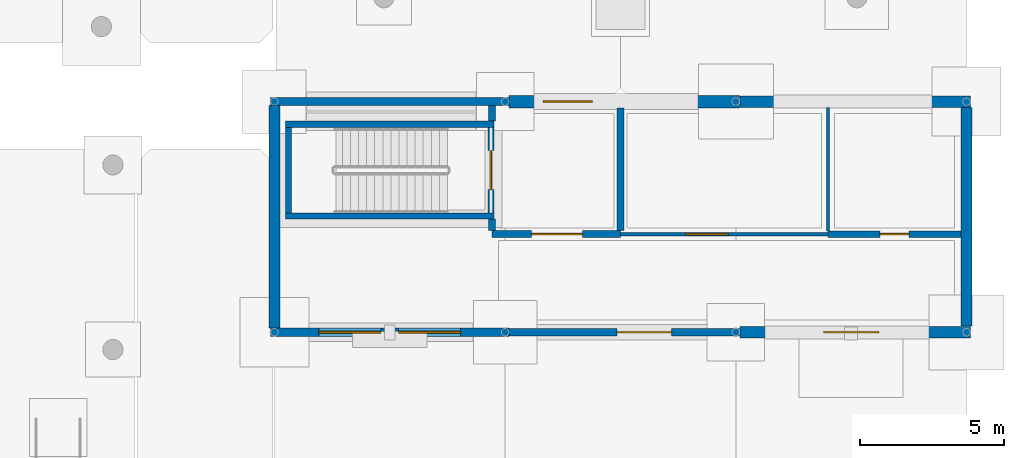
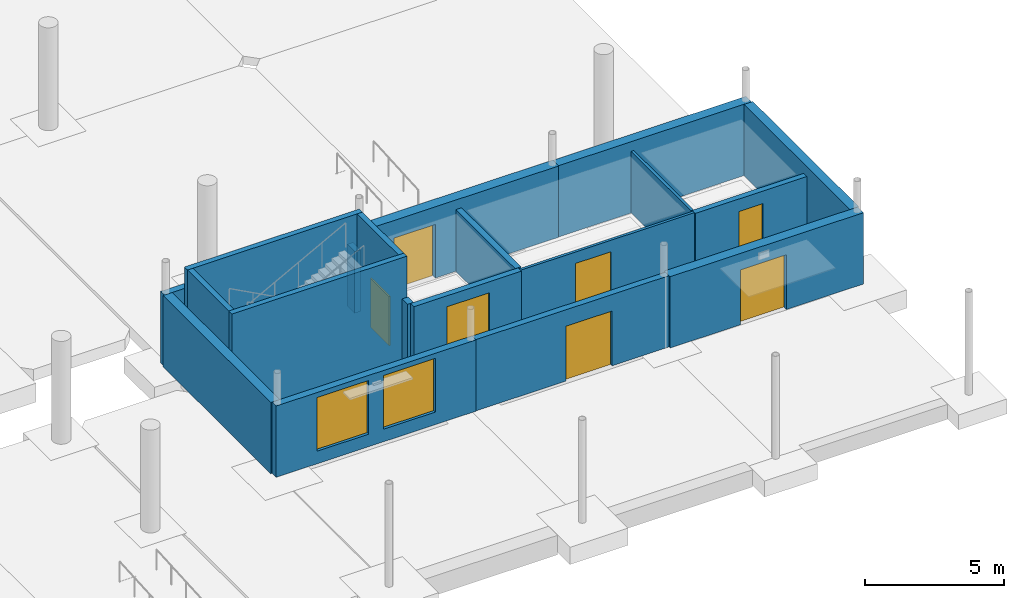
# One storey, part 46 of 63: 19 walls, 7 doors, 2 windows, 9 openings.
"""IFC4 building model written with IfcOpenShell, lengths in metres."""

from ifc_helpers import new_model, si_unit, direction, frame, frame_2d, origin, place, context, subcontext, project, spatial, rectangle, extrude, material, layer, layer_set, type_object, element, fill, save


model = new_model("IFC4")

# Units and contexts
model_context = context("Model", 3, precision=1e-05, world=origin(), true_north=direction((0.0, 1.0)))
body_context = subcontext(model_context, "Body", "Model", "MODEL_VIEW")
ifc_project = project(units=[si_unit("LENGTHUNIT", "METRE"), si_unit("AREAUNIT", "SQUARE_METRE"), si_unit("VOLUMEUNIT", "CUBIC_METRE"), si_unit("PLANEANGLEUNIT", "RADIAN"), si_unit("MASSUNIT", "GRAM", prefix="KILO")], contexts=[model_context])

# Site, building, storey
site_placement = place(None, origin())
site = spatial("IfcSite", under=ifc_project, at=site_placement, CompositionType="ELEMENT")
building_placement = place(site_placement, origin())
building = spatial("IfcBuilding", under=site, at=building_placement, Name="Serraforn Aerial Cableway Station", CompositionType="ELEMENT")
storey_placement = place(building_placement, origin())
storey = spatial("IfcBuildingStorey", under=building, at=storey_placement, Name="L00", CompositionType="ELEMENT", Elevation=0.0)

# Wall, opening, door
ifc_material_1 = material(Name="Concrete C35/45", Category="concrete")
ifc_layer_1 = layer(ifc_material_1, 0.219970703125)
ifc_layer_set_1 = layer_set([ifc_layer_1], Name="Concrete C35/45")
wall_type_1 = type_object("IfcWallType", Name="WL-COR-220", PredefinedType="SHEAR", material=ifc_layer_set_1)
wall_1_placement = place(storey_placement, frame((151.510009765625, 15.10009765625, 0.0), z_axis=(0.0, 0.0, 1.0), x_axis=(0.0, -1.0, 0.0)))
wall_1 = element("IfcWall", 1, at=wall_1_placement, inside=storey, type_object=wall_type_1, Name="Stair Core Shear Wall WCOR-ST-07-L00-NEAR", PredefinedType="SHEAR", context=body_context, shape_type="SweptSolid", body=[
    extrude(rectangle(XDim=2.960205078125, YDim=0.219970703125, at=frame_2d((1.47998046875, 0.0))), origin(), (0.0, 0.0, 1.0), 4.5),
])
opening_1_placement = place(wall_1_placement, frame((0.804931640625, 0.0, 0.0)))
opening_1 = element("IfcOpeningElement", 2, at=opening_1_placement, cuts=wall_1, Name="Opening D-S31", PredefinedType="OPENING", context=body_context, shape_type="SweptSolid", body=[
    extrude(rectangle(XDim=1.35009765625, YDim=2.14990234375, at=frame_2d((0.675048828125, 1.074951171875))), frame((0.0, 0.119873046875, 0.0), z_axis=(0.0, -1.0, 0.0), x_axis=(1.0, 0.0, 0.0)), (0.0, 0.0, 1.0), 0.239990234375),
])
ifc_material_2 = material(Name="Self-closing steel stair fire door", Category="steel")
door_type_1 = type_object("IfcDoorType", Name="DR-STAIR-135", OperationType="NOTDEFINED", PredefinedType="DOOR", material=ifc_material_2)
door_1_placement = place(opening_1_placement, origin())
door_1 = element("IfcDoor", 3, at=door_1_placement, inside=storey, type_object=door_type_1, Name="Protected Stair Door D-S31", OperationType="SINGLE_SWING_LEFT", OverallHeight=2.14990234375, OverallWidth=1.35009765625, PredefinedType="DOOR", context=body_context, shape_type="SweptSolid", body=[
    extrude(rectangle(XDim=1.35009765625, YDim=2.14990234375, at=frame_2d((0.675048828125, 1.074951171875))), frame((0.0, 0.02490234375, 0.0), z_axis=(0.0, -1.0, 0.0), x_axis=(1.0, 0.0, 0.0)), (0.0, 0.0, 1.0), 0.050048828125),
])
fill(opening_1, door_1)

# Walls
wall_2_placement = place(storey_placement, frame((144.489990234375, 15.10009765625, 0.0), z_axis=(0.0, 0.0, 1.0), x_axis=(0.0, -1.0, 0.0)))
element("IfcWall", 4, at=wall_2_placement, inside=storey, type_object=wall_type_1, Name="Stair Core Shear Wall WCOR-ST-07-L00-FAR", PredefinedType="SHEAR", context=body_context, shape_type="SweptSolid", body=[
    extrude(rectangle(XDim=2.960205078125, YDim=0.219970703125, at=frame_2d((1.47998046875, 0.0))), origin(), (0.0, 0.0, 1.0), 4.5),
])
for number, where, z_axis, x_axis, name in (
    (5, (151.6201171875, 15.2099609375, 0.0), (0.0, 0.0, 1.0), (-1.0, 0.0, 0.0), "Stair Core Shear Wall WCOR-ST-07-L00-L"),
    (6, (151.6201171875, 12.030029296875, 0.0), (0.0, 0.0, 1.0), (-1.0, 0.0, 0.0), "Stair Core Shear Wall WCOR-ST-07-L00-R"),
):
    element("IfcWall", number, at=place(storey_placement, frame(where, z_axis=z_axis, x_axis=x_axis)), inside=storey, type_object=wall_type_1, Name=name, PredefinedType="SHEAR", context=body_context, shape_type="SweptSolid", body=[
        extrude(rectangle(XDim=7.240234375, YDim=0.219970703125, at=frame_2d((3.6201171875, 0.0))), origin(), (0.0, 0.0, 1.0), 4.5),
    ])

# Wall, opening, door
ifc_material_3 = material(Name="Insulated stuccoed terracotta facade", Category="masonry")
ifc_layer_2 = layer(ifc_material_3, 0.260009765625)
ifc_layer_set_2 = layer_set([ifc_layer_2], Name="Insulated stuccoed terracotta facade")
wall_type_2 = type_object("IfcWallType", Name="WL-EXT-260", PredefinedType="SOLIDWALL", material=ifc_layer_set_2)
wall_3_placement = place(storey_placement, frame((152.137451171875, 8.0, 0.0), z_axis=(0.0, 0.0, 1.0), x_axis=(1.0, 0.0, 0.0)))
wall_3 = element("IfcWall", 7, at=wall_3_placement, inside=storey, type_object=wall_type_2, Name="Exterior Wall WEXT-ES-L00-S2", PredefinedType="SOLIDWALL", context=body_context, shape_type="SweptSolid", body=[
    extrude(rectangle(XDim=7.9990234375, YDim=0.260009765625, at=frame_2d((3.99951171875, 0.0))), origin(), (0.0, 0.0, 1.0), 3.1201171875),
])
opening_2_placement = place(wall_3_placement, frame((3.73974609375, 0.0, 0.0)))
opening_2 = element("IfcOpeningElement", 8, at=opening_2_placement, cuts=wall_3, Name="Opening DE-01", PredefinedType="OPENING", context=body_context, shape_type="SweptSolid", body=[
    extrude(rectangle(XDim=1.89990234375, YDim=2.39990234375, at=frame_2d((0.949951171875, 1.199951171875))), frame((0.0, 0.139892578125, 0.0), z_axis=(0.0, -1.0, 0.0), x_axis=(1.0, 0.0, 0.0)), (0.0, 0.0, 1.0), 0.280029296875),
])
ifc_material_4 = material(Name="Anodised bronze thermally broken aluminium and laminated glass", Category="aluminium")
door_type_2 = type_object("IfcDoorType", Name="DR-EXT-190", OperationType="DOUBLE_SWING_LEFT", PredefinedType="DOOR", material=ifc_material_4)
door_2_placement = place(opening_2_placement, origin())
door_2 = element("IfcDoor", 9, at=door_2_placement, inside=storey, type_object=door_type_2, Name="Exterior Door DE-ES-L00-S2", OperationType="DOUBLE_SWING_LEFT", OverallHeight=2.39990234375, OverallWidth=1.89990234375, PredefinedType="DOOR", context=body_context, shape_type="SweptSolid", body=[
    extrude(rectangle(XDim=1.89990234375, YDim=2.39990234375, at=frame_2d((0.949951171875, 1.199951171875))), frame((0.0, 0.02490234375, 0.0), z_axis=(0.0, -1.0, 0.0), x_axis=(1.0, 0.0, 0.0)), (0.0, 0.0, 1.0), 0.050048828125),
])
fill(opening_2, door_2)

# Wall
ifc_layer_3 = layer(ifc_material_3, 0.27490234375)
ifc_layer_set_3 = layer_set([ifc_layer_3], Name="Insulated stuccoed terracotta facade")
wall_type_3 = type_object("IfcWallType", Name="WL-EXT-275", PredefinedType="SOLIDWALL", material=ifc_layer_set_3)
wall_4_placement = place(storey_placement, frame((152.136474609375, 16.0, 0.0), z_axis=(0.0, 0.0, 1.0), x_axis=(-1.0, 0.0, 0.0)))
element("IfcWall", 10, at=wall_4_placement, inside=storey, type_object=wall_type_3, Name="Exterior Wall WEXT-ES-L00-N1", PredefinedType="SOLIDWALL", context=body_context, shape_type="SweptSolid", body=[
    extrude(rectangle(XDim=8.27294921875, YDim=0.27490234375, at=frame_2d((4.136474609375, 0.0))), origin(), (0.0, 0.0, 1.0), 3.1201171875),
])

# Wall, openings, windows
ifc_material_5 = material(Name="Insulated fluted limestone rainscreen", Category="masonry")
ifc_layer_4 = layer(ifc_material_5, 0.2900390625)
ifc_layer_set_4 = layer_set([ifc_layer_4], Name="Insulated fluted limestone rainscreen")
wall_type_4 = type_object("IfcWallType", Name="WL-EXT-290", PredefinedType="SOLIDWALL", material=ifc_layer_set_4)
wall_5_placement = place(storey_placement, frame((143.863525390625, 8.0, 0.0), z_axis=(0.0, 0.0, 1.0), x_axis=(1.0, 0.0, 0.0)))
wall_5 = element("IfcWall", 11, at=wall_5_placement, inside=storey, type_object=wall_type_4, Name="Exterior Wall WEXT-ES-L00-S1", PredefinedType="SOLIDWALL", context=body_context, shape_type="SweptSolid", body=[
    extrude(rectangle(XDim=8.27294921875, YDim=0.2900390625, at=frame_2d((4.136474609375, 0.0))), origin(), (0.0, 0.0, 1.0), 3.1201171875),
])
opening_3_placement = place(wall_5_placement, frame((1.6826171875, 0.0, 0.550048828125)))
opening_3 = element("IfcOpeningElement", 12, at=opening_3_placement, cuts=wall_5, Name="Opening W-13", PredefinedType="OPENING", context=body_context, shape_type="SweptSolid", body=[
    extrude(rectangle(XDim=2.14990234375, YDim=2.35009765625, at=frame_2d((1.074951171875, 1.175048828125))), frame((0.0, 0.155029296875, 0.0), z_axis=(0.0, -1.0, 0.0), x_axis=(1.0, 0.0, 0.0)), (0.0, 0.0, 1.0), 0.31005859375),
])
opening_4_placement = place(wall_5_placement, frame((4.440185546875, 0.0, 0.550048828125)))
opening_4 = element("IfcOpeningElement", 13, at=opening_4_placement, cuts=wall_5, Name="Opening W-13", PredefinedType="OPENING", context=body_context, shape_type="SweptSolid", body=[
    extrude(rectangle(XDim=2.14990234375, YDim=2.35009765625, at=frame_2d((1.074951171875, 1.175048828125))), frame((0.0, 0.155029296875, 0.0), z_axis=(0.0, -1.0, 0.0), x_axis=(1.0, 0.0, 0.0)), (0.0, 0.0, 1.0), 0.31005859375),
])
ifc_material_6 = material(Name="Anodised bronze aluminium and low-E double glazing", Category="aluminium")
window_type = type_object("IfcWindowType", Name="WIN-ART-13", PartitioningType="SINGLE_PANEL", PredefinedType="WINDOW", material=ifc_material_6)
window_1_placement = place(opening_3_placement, origin())
window_1 = element("IfcWindow", 14, at=window_1_placement, inside=storey, type_object=window_type, Name="Art Deco Window WEXT-ES-L00-S1-W1", OverallHeight=2.35009765625, OverallWidth=2.14990234375, PartitioningType="SINGLE_PANEL", PredefinedType="WINDOW", context=body_context, shape_type="SweptSolid", body=[
    extrude(rectangle(XDim=2.14990234375, YDim=2.35009765625, at=frame_2d((1.074951171875, 1.175048828125))), frame((0.0, 0.030029296875, 0.0), z_axis=(0.0, -1.0, 0.0), x_axis=(1.0, 0.0, 0.0)), (0.0, 0.0, 1.0), 0.06005859375),
])
fill(opening_3, window_1)
window_2_placement = place(opening_4_placement, origin())
window_2 = element("IfcWindow", 15, at=window_2_placement, inside=storey, type_object=window_type, Name="Art Deco Window WEXT-ES-L00-S1-W2", OverallHeight=2.35009765625, OverallWidth=2.14990234375, PartitioningType="SINGLE_PANEL", PredefinedType="WINDOW", context=body_context, shape_type="SweptSolid", body=[
    extrude(rectangle(XDim=2.14990234375, YDim=2.35009765625, at=frame_2d((1.074951171875, 1.175048828125))), frame((0.0, 0.030029296875, 0.0), z_axis=(0.0, -1.0, 0.0), x_axis=(1.0, 0.0, 0.0)), (0.0, 0.0, 1.0), 0.06005859375),
])
fill(opening_4, window_2)

# Walls
ifc_material_7 = material(Name="Montjuic sandstone ashlar masonry", Category="masonry")
ifc_layer_5 = layer(ifc_material_7, 0.364990234375)
ifc_layer_set_5 = layer_set([ifc_layer_5], Name="Montjuic sandstone ashlar masonry")
wall_type_5 = type_object("IfcWallType", Name="WL-EXT-365", PredefinedType="SOLIDWALL", material=ifc_layer_set_5)
wall_6_placement = place(storey_placement, frame((168.0, 8.20849609375, 0.0), z_axis=(0.0, 0.0, 1.0), x_axis=(0.0, 1.0, 0.0)))
element("IfcWall", 16, at=wall_6_placement, inside=storey, type_object=wall_type_5, Name="Exterior Wall WEXT-ES-L00-E1", PredefinedType="SOLIDWALL", context=body_context, shape_type="SweptSolid", body=[
    extrude(rectangle(XDim=7.590576171875, YDim=0.364990234375, at=frame_2d((3.79541015625, 0.0))), origin(), (0.0, 0.0, 1.0), 3.1201171875),
])
ifc_layer_6 = layer(ifc_material_7, 0.3798828125)
ifc_layer_set_6 = layer_set([ifc_layer_6], Name="Montjuic sandstone ashlar masonry")
wall_type_6 = type_object("IfcWallType", Name="WL-EXT-380", PredefinedType="SOLIDWALL", material=ifc_layer_set_6)
wall_7_placement = place(storey_placement, frame((144.0, 15.861572265625, 0.0), z_axis=(0.0, 0.0, 1.0), x_axis=(0.0, -1.0, 0.0)))
element("IfcWall", 17, at=wall_7_placement, inside=storey, type_object=wall_type_6, Name="Exterior Wall WEXT-ES-L00-W1", PredefinedType="SOLIDWALL", context=body_context, shape_type="SweptSolid", body=[
    extrude(rectangle(XDim=7.715576171875, YDim=0.3798828125, at=frame_2d((3.85791015625, 0.0))), origin(), (0.0, 0.0, 1.0), 3.1201171875),
])
ifc_layer_7 = layer(ifc_material_7, 0.39990234375)
ifc_layer_set_7 = layer_set([ifc_layer_7], Name="Montjuic sandstone ashlar masonry")
wall_type_7 = type_object("IfcWallType", Name="WL-EXT-400", PredefinedType="SOLIDWALL", material=ifc_layer_set_7)
wall_8_placement = place(storey_placement, frame((168.136474609375, 16.0, 0.0), z_axis=(0.0, 0.0, 1.0), x_axis=(-1.0, 0.0, 0.0)))
element("IfcWall", 18, at=wall_8_placement, inside=storey, type_object=wall_type_7, Name="Exterior Wall WEXT-ES-L00-N3", PredefinedType="SOLIDWALL", context=body_context, shape_type="SweptSolid", body=[
    extrude(rectangle(XDim=7.9990234375, YDim=0.39990234375, at=frame_2d((3.99951171875, 0.0))), origin(), (0.0, 0.0, 1.0), 3.1201171875),
])

# Wall, opening, door
ifc_layer_8 = layer(ifc_material_7, 0.4150390625)
ifc_layer_set_8 = layer_set([ifc_layer_8], Name="Montjuic sandstone ashlar masonry")
wall_type_8 = type_object("IfcWallType", Name="WL-EXT-415", PredefinedType="SOLIDWALL", material=ifc_layer_set_8)
wall_9_placement = place(storey_placement, frame((160.137451171875, 8.0, 0.0), z_axis=(0.0, 0.0, 1.0), x_axis=(1.0, 0.0, 0.0)))
wall_9 = element("IfcWall", 19, at=wall_9_placement, inside=storey, type_object=wall_type_8, Name="Exterior Wall WEXT-ES-L00-S3", PredefinedType="SOLIDWALL", context=body_context, shape_type="SweptSolid", body=[
    extrude(rectangle(XDim=7.9990234375, YDim=0.4150390625, at=frame_2d((3.99951171875, 0.0))), origin(), (0.0, 0.0, 1.0), 3.1201171875),
])
opening_5_placement = place(wall_9_placement, frame((2.91259765625, 0.0, 0.0)))
opening_5 = element("IfcOpeningElement", 20, at=opening_5_placement, cuts=wall_9, Name="Opening DE-01", PredefinedType="OPENING", context=body_context, shape_type="SweptSolid", body=[
    extrude(rectangle(XDim=1.89990234375, YDim=2.39990234375, at=frame_2d((0.949951171875, 1.199951171875))), frame((0.0, 0.217529296875, 0.0), z_axis=(0.0, -1.0, 0.0), x_axis=(1.0, 0.0, 0.0)), (0.0, 0.0, 1.0), 0.43505859375),
])
door_3_placement = place(opening_5_placement, origin())
door_3 = element("IfcDoor", 21, at=door_3_placement, inside=storey, type_object=door_type_2, Name="Exterior Door DE-ES-L00-S3", OperationType="DOUBLE_SWING_LEFT", OverallHeight=2.39990234375, OverallWidth=1.89990234375, PredefinedType="DOOR", context=body_context, shape_type="SweptSolid", body=[
    extrude(rectangle(XDim=1.89990234375, YDim=2.39990234375, at=frame_2d((0.949951171875, 1.199951171875))), frame((0.0, 0.02490234375, 0.0), z_axis=(0.0, -1.0, 0.0), x_axis=(1.0, 0.0, 0.0)), (0.0, 0.0, 1.0), 0.050048828125),
])
fill(opening_5, door_3)

ifc_layer_9 = layer(ifc_material_7, 0.429931640625)
ifc_layer_set_9 = layer_set([ifc_layer_9], Name="Montjuic sandstone ashlar masonry")
wall_type_9 = type_object("IfcWallType", Name="WL-EXT-430", PredefinedType="SOLIDWALL", material=ifc_layer_set_9)
wall_10_placement = place(storey_placement, frame((160.136474609375, 16.0, 0.0), z_axis=(0.0, 0.0, 1.0), x_axis=(-1.0, 0.0, 0.0)))
wall_10 = element("IfcWall", 22, at=wall_10_placement, inside=storey, type_object=wall_type_9, Name="Exterior Wall WEXT-ES-L00-N2", PredefinedType="SOLIDWALL", context=body_context, shape_type="SweptSolid", body=[
    extrude(rectangle(XDim=7.9990234375, YDim=0.429931640625, at=frame_2d((3.99951171875, 0.0))), origin(), (0.0, 0.0, 1.0), 3.1201171875),
])
opening_6_placement = place(wall_10_placement, frame((5.106689453125, 0.0, 0.0)))
opening_6 = element("IfcOpeningElement", 23, at=opening_6_placement, cuts=wall_10, Name="Opening DE-03", PredefinedType="OPENING", context=body_context, shape_type="SweptSolid", body=[
    extrude(rectangle(XDim=1.699951171875, YDim=2.35009765625, at=frame_2d((0.85009765625, 1.175048828125))), frame((0.0, 0.224853515625, 0.0), z_axis=(0.0, -1.0, 0.0), x_axis=(1.0, 0.0, 0.0)), (0.0, 0.0, 1.0), 0.449951171875),
])
door_type_3 = type_object("IfcDoorType", Name="DR-EXT-170", OperationType="DOUBLE_SWING_LEFT", PredefinedType="DOOR", material=ifc_material_4)
door_4_placement = place(opening_6_placement, origin())
door_4 = element("IfcDoor", 24, at=door_4_placement, inside=storey, type_object=door_type_3, Name="Exterior Door DE-ES-L00-N2", OperationType="DOUBLE_SWING_LEFT", OverallHeight=2.35009765625, OverallWidth=1.699951171875, PredefinedType="DOOR", context=body_context, shape_type="SweptSolid", body=[
    extrude(rectangle(XDim=1.699951171875, YDim=2.35009765625, at=frame_2d((0.85009765625, 1.175048828125))), frame((0.0, 0.02490234375, 0.0), z_axis=(0.0, -1.0, 0.0), x_axis=(1.0, 0.0, 0.0)), (0.0, 0.0, 1.0), 0.050048828125),
])
fill(opening_6, door_4)

# Walls
ifc_material_8 = material(Name="Concrete C30/37", Category="concrete")
ifc_layer_10 = layer(ifc_material_8, 0.241943359375)
ifc_layer_set_10 = layer_set([ifc_layer_10], Name="Concrete C30/37")
wall_type_10 = type_object("IfcWallType", Name="WL-FIR-242", PredefinedType="SOLIDWALL", material=ifc_layer_set_10)
wall_11_placement = place(storey_placement, frame((151.550048828125, 11.52197265625, 0.0), z_axis=(0.0, 0.0, 1.0), x_axis=(0.0, 1.0, 0.0)))
element("IfcWall", 25, at=wall_11_placement, inside=storey, type_object=wall_type_10, Name="Interior Partition WPRT-L00-27-88", PredefinedType="SOLIDWALL", context=body_context, shape_type="SweptSolid", body=[
    extrude(rectangle(XDim=0.39697265625, YDim=0.241943359375, at=frame_2d((0.198486328125, 0.0))), origin(), (0.0, 0.0, 1.0), 2.699951171875),
])
wall_12_placement = place(storey_placement, frame((151.550048828125, 15.321044921875, 0.0), z_axis=(0.0, 0.0, 1.0), x_axis=(0.0, 1.0, 0.0)))
element("IfcWall", 26, at=wall_12_placement, inside=storey, type_object=wall_type_10, Name="Interior Partition WPRT-L00-27-89", PredefinedType="SOLIDWALL", context=body_context, shape_type="SweptSolid", body=[
    extrude(rectangle(XDim=0.54052734375, YDim=0.241943359375, at=frame_2d((0.270263671875, 0.0))), origin(), (0.0, 0.0, 1.0), 2.699951171875),
])
wall_13_placement = place(storey_placement, frame((156.0, 15.783935546875, 0.0), z_axis=(0.0, 0.0, 1.0), x_axis=(0.0, -1.0, 0.0)))
element("IfcWall", 27, at=wall_13_placement, inside=storey, type_object=wall_type_10, Name="Interior Partition WPRT-L00-27-90", PredefinedType="SOLIDWALL", context=body_context, shape_type="SweptSolid", body=[
    extrude(rectangle(XDim=4.261962890625, YDim=0.241943359375, at=frame_2d((2.130859375, 0.0))), origin(), (0.0, 0.0, 1.0), 2.699951171875),
])

# Wall, opening, door
wall_14_placement = place(storey_placement, frame((156.0, 11.39990234375, 0.0), z_axis=(0.0, 0.0, 1.0), x_axis=(-1.0, 0.0, 0.0)))
wall_14 = element("IfcWall", 28, at=wall_14_placement, inside=storey, type_object=wall_type_10, Name="Interior Partition WPRT-L00-27-91", PredefinedType="SOLIDWALL", context=body_context, shape_type="SweptSolid", body=[
    extrude(rectangle(XDim=4.449951171875, YDim=0.241943359375, at=frame_2d((2.22509765625, 0.0))), origin(), (0.0, 0.0, 1.0), 2.699951171875),
])
opening_7_placement = place(wall_14_placement, frame((1.320068359375, 0.0, 0.0)))
opening_7 = element("IfcOpeningElement", 29, at=opening_7_placement, cuts=wall_14, Name="Opening DI-028", PredefinedType="OPENING", context=body_context, shape_type="SweptSolid", body=[
    extrude(rectangle(XDim=1.760009765625, YDim=2.219970703125, at=frame_2d((0.8798828125, 1.10986328125))), frame((0.0, 0.130859375, 0.0), z_axis=(0.0, -1.0, 0.0), x_axis=(1.0, 0.0, 0.0)), (0.0, 0.0, 1.0), 0.261962890625),
])
ifc_material_9 = material(Name="Double-leaf machinery vault door")
door_type_4 = type_object("IfcDoorType", Name="DR-INT-176", OperationType="NOTDEFINED", PredefinedType="DOOR", material=ifc_material_9)
door_5_placement = place(opening_7_placement, origin())
door_5 = element("IfcDoor", 30, at=door_5_placement, inside=storey, type_object=door_type_4, Name="Room Door DI-028 (L00-27)", OperationType="SINGLE_SWING_LEFT", OverallHeight=2.219970703125, OverallWidth=1.760009765625, PredefinedType="DOOR", context=body_context, shape_type="SweptSolid", body=[
    extrude(rectangle(XDim=1.760009765625, YDim=2.219970703125, at=frame_2d((0.8798828125, 1.10986328125))), frame((0.0, 0.02490234375, 0.0), z_axis=(0.0, -1.0, 0.0), x_axis=(1.0, 0.0, 0.0)), (0.0, 0.0, 1.0), 0.050048828125),
])
fill(opening_7, door_5)

ifc_material_10 = material(Name="Sanitary service chase partition")
ifc_layer_11 = layer(ifc_material_10, 0.22802734375)
ifc_layer_set_11 = layer_set([ifc_layer_11], Name="Sanitary service chase partition")
wall_type_11 = type_object("IfcWallType", Name="WL-PLM-228", PredefinedType="PLUMBINGWALL", material=ifc_layer_set_11)
wall_15_placement = place(storey_placement, frame((167.81640625, 11.39990234375, 0.0), z_axis=(0.0, 0.0, 1.0), x_axis=(-1.0, 0.0, 0.0)))
wall_15 = element("IfcWall", 31, at=wall_15_placement, inside=storey, type_object=wall_type_11, Name="Interior Partition WPRT-L00-17-94", PredefinedType="PLUMBINGWALL", context=body_context, shape_type="SweptSolid", body=[
    extrude(rectangle(XDim=4.616455078125, YDim=0.22802734375, at=frame_2d((2.30810546875, 0.0))), origin(), (0.0, 0.0, 1.0), 2.699951171875),
])
opening_8_placement = place(wall_15_placement, frame((1.81640625, 0.0, 0.0)))
opening_8 = element("IfcOpeningElement", 32, at=opening_8_placement, cuts=wall_15, Name="Opening DI-030", PredefinedType="OPENING", context=body_context, shape_type="SweptSolid", body=[
    extrude(rectangle(XDim=1.0, YDim=2.14990234375, at=frame_2d((0.5, 1.074951171875))), frame((0.0, 0.1240234375, 0.0), z_axis=(0.0, -1.0, 0.0), x_axis=(1.0, 0.0, 0.0)), (0.0, 0.0, 1.0), 0.248046875),
])
ifc_material_11 = material(Name="Fire-rated oak veneer leaf")
door_type_5 = type_object("IfcDoorType", Name="DR-INT-100", OperationType="NOTDEFINED", PredefinedType="DOOR", material=ifc_material_11)
door_6_placement = place(opening_8_placement, origin())
door_6 = element("IfcDoor", 33, at=door_6_placement, inside=storey, type_object=door_type_5, Name="Room Door DI-030 (L00-17)", OperationType="SINGLE_SWING_LEFT", OverallHeight=2.14990234375, OverallWidth=1.0, PredefinedType="DOOR", context=body_context, shape_type="SweptSolid", body=[
    extrude(rectangle(XDim=1.0, YDim=2.14990234375, at=frame_2d((0.5, 1.074951171875))), frame((0.0, 0.02490234375, 0.0), z_axis=(0.0, -1.0, 0.0), x_axis=(1.0, 0.0, 0.0)), (0.0, 0.0, 1.0), 0.050048828125),
])
fill(opening_8, door_6)

ifc_material_12 = material(Name="Metal-stud gypsum partition")
ifc_layer_12 = layer(ifc_material_12, 0.110107421875)
ifc_layer_set_12 = layer_set([ifc_layer_12], Name="Metal-stud gypsum partition")
wall_type_12 = type_object("IfcWallType", Name="WL-PRT-110", PredefinedType="PARTITIONING", material=ifc_layer_set_12)
wall_16_placement = place(storey_placement, frame((163.199951171875, 11.39990234375, 0.0), z_axis=(0.0, 0.0, 1.0), x_axis=(-1.0, 0.0, 0.0)))
wall_16 = element("IfcWall", 34, at=wall_16_placement, inside=storey, type_object=wall_type_12, Name="Interior Partition WPRT-L00-16-93", PredefinedType="PARTITIONING", context=body_context, shape_type="SweptSolid", body=[
    extrude(rectangle(XDim=7.199951171875, YDim=0.110107421875, at=frame_2d((3.60009765625, 0.0))), origin(), (0.0, 0.0, 1.0), 2.699951171875),
])
opening_9_placement = place(wall_16_placement, frame((3.4599609375, 0.0, 0.0)))
opening_9 = element("IfcOpeningElement", 35, at=opening_9_placement, cuts=wall_16, Name="Opening DI-029", PredefinedType="OPENING", context=body_context, shape_type="SweptSolid", body=[
    extrude(rectangle(XDim=1.47998046875, YDim=2.199951171875, at=frame_2d((0.739990234375, 1.10009765625))), frame((0.0, 0.06494140625, 0.0), z_axis=(0.0, -1.0, 0.0), x_axis=(1.0, 0.0, 0.0)), (0.0, 0.0, 1.0), 0.130126953125),
])
ifc_material_13 = material(Name="Double-leaf glazed salon door")
door_type_6 = type_object("IfcDoorType", Name="DR-INT-148U", OperationType="NOTDEFINED", PredefinedType="DOOR", material=ifc_material_13)
door_7_placement = place(opening_9_placement, origin())
door_7 = element("IfcDoor", 36, at=door_7_placement, inside=storey, type_object=door_type_6, Name="Room Door DI-029 (L00-16)", OperationType="SINGLE_SWING_RIGHT", OverallHeight=2.199951171875, OverallWidth=1.47998046875, PredefinedType="DOOR", context=body_context, shape_type="SweptSolid", body=[
    extrude(rectangle(XDim=1.47998046875, YDim=2.199951171875, at=frame_2d((0.739990234375, 1.10009765625))), frame((0.0, 0.02490234375, 0.0), z_axis=(0.0, -1.0, 0.0), x_axis=(1.0, 0.0, 0.0)), (0.0, 0.0, 1.0), 0.050048828125),
])
fill(opening_9, door_7)

# Wall
ifc_layer_13 = layer(ifc_material_12, 0.114013671875)
ifc_layer_set_13 = layer_set([ifc_layer_13], Name="Metal-stud gypsum partition")
wall_type_13 = type_object("IfcWallType", Name="WL-PRT-114", PredefinedType="PARTITIONING", material=ifc_layer_set_13)
wall_17_placement = place(storey_placement, frame((163.199951171875, 15.799072265625, 0.0), z_axis=(0.0, 0.0, 1.0), x_axis=(0.0, -1.0, 0.0)))
element("IfcWall", 37, at=wall_17_placement, inside=storey, type_object=wall_type_13, Name="Interior Partition WPRT-L00-16-92", PredefinedType="PARTITIONING", context=body_context, shape_type="SweptSolid", body=[
    extrude(rectangle(XDim=4.2841796875, YDim=0.114013671875, at=frame_2d((2.14208984375, 0.0))), origin(), (0.0, 0.0, 1.0), 2.699951171875),
])

save(model, "model.ifc")
